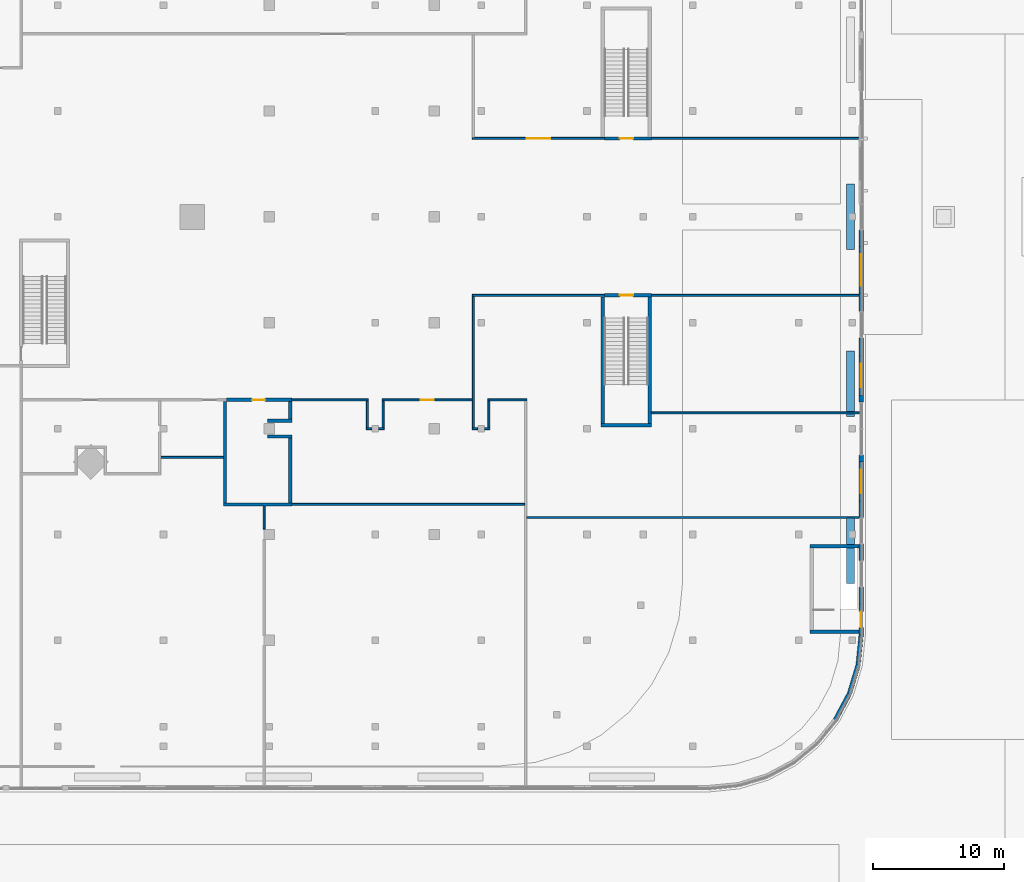
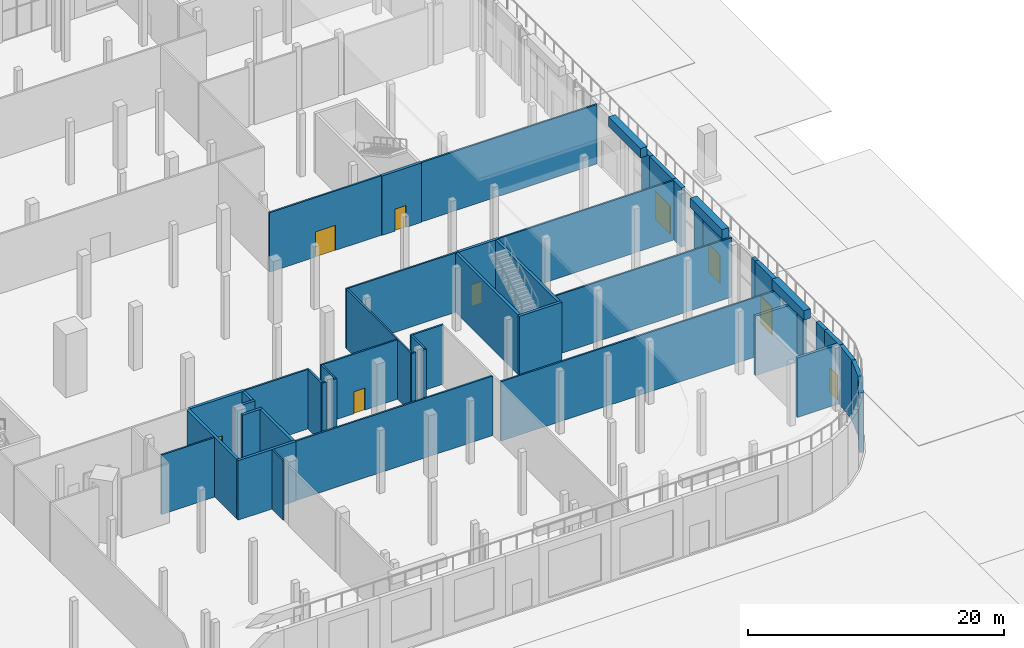
# One storey, part 18 of 32: 52 walls, 9 doors, 9 openings.
"""IFC4 building model written with IfcOpenShell, lengths in metres."""

from ifc_helpers import new_model, si_unit, direction, frame, frame_2d, origin, place, context, subcontext, project, spatial, rectangle, extrude, material, layer, layer_set, type_object, element, fill, save


model = new_model("IFC4")

# Units and contexts
model_context = context("Model", 3, precision=1e-05, world=origin(), true_north=direction((0.0, 1.0)))
body_context = subcontext(model_context, "Body", "Model", "MODEL_VIEW")
ifc_project = project(units=[si_unit("LENGTHUNIT", "METRE"), si_unit("AREAUNIT", "SQUARE_METRE"), si_unit("VOLUMEUNIT", "CUBIC_METRE"), si_unit("PLANEANGLEUNIT", "RADIAN"), si_unit("MASSUNIT", "GRAM", prefix="KILO")], contexts=[model_context])

# Site, building, storey
site_placement = place(None, origin())
site = spatial("IfcSite", under=ifc_project, at=site_placement, CompositionType="ELEMENT")
building_placement = place(site_placement, origin())
building = spatial("IfcBuilding", under=site, at=building_placement, Name="Torre Triforio", CompositionType="ELEMENT")
storey_placement = place(building_placement, origin())
storey = spatial("IfcBuildingStorey", under=building, at=storey_placement, Name="L00", CompositionType="ELEMENT", Elevation=0.0)

# Walls
ifc_material_1 = material(Name="Plasterboard on metal studs")
ifc_layer_1 = layer(ifc_material_1, 0.14990234375)
ifc_layer_set_1 = layer_set([ifc_layer_1], Name="Plasterboard on metal studs")
wall_type_1 = type_object("IfcWallType", Name="Corridor wall 150 EI 60", PredefinedType="PARTITIONING", material=ifc_layer_set_1)
for number, where, z_axis, x_axis, name in (
    (1, (39.824951171875, -16.199951171875, 0.0), (0.0, 0.0, 1.0), (1.0, 0.0, 0.0), "Corridor wall L00 001"),
    (2, (40.760009765625, -16.199951171875, 0.0), (0.0, 0.0, 1.0), (1.0, 0.0, 0.0), "Corridor wall L00 002"),
):
    element("IfcWall", number, at=place(storey_placement, frame(where, z_axis=z_axis, x_axis=x_axis)), inside=storey, type_object=wall_type_1, Name=name, PredefinedType="PARTITIONING", context=body_context, shape_type="SweptSolid", body=[
        extrude(rectangle(XDim=0.4150390625, YDim=0.14990234375, at=frame_2d((0.20751953125, 0.0))), origin(), (0.0, 0.0, 1.0), 5.679931640625),
    ])
wall_1_placement = place(storey_placement, frame((34.125, -14.0, 0.0), z_axis=(0.0, 0.0, 1.0), x_axis=(1.0, 0.0, 0.0)))
element("IfcWall", 3, at=wall_1_placement, inside=storey, type_object=wall_type_1, Name="Corridor wall L00 003", PredefinedType="PARTITIONING", context=body_context, shape_type="SweptSolid", body=[
    extrude(rectangle(XDim=5.85009765625, YDim=0.14990234375, at=frame_2d((2.925048828125, 0.0))), origin(), (0.0, 0.0, 1.0), 5.679931640625),
])

# Wall, opening, door
wall_2_placement = place(storey_placement, frame((41.02490234375, -14.0, 0.0), z_axis=(0.0, 0.0, 1.0), x_axis=(1.0, 0.0, 0.0)))
wall_2 = element("IfcWall", 4, at=wall_2_placement, inside=storey, type_object=wall_type_1, Name="Corridor wall L00 004", PredefinedType="PARTITIONING", context=body_context, shape_type="SweptSolid", body=[
    extrude(rectangle(XDim=6.900146484375, YDim=0.14990234375, at=frame_2d((3.4501953125, 0.0))), origin(), (0.0, 0.0, 1.0), 5.679931640625),
])
opening_1_placement = place(wall_2_placement, frame((2.949951171875, 0.0, 0.0)))
opening_1 = element("IfcOpeningElement", 5, at=opening_1_placement, cuts=wall_2, Name="Opening P0-16", PredefinedType="OPENING", context=body_context, shape_type="SweptSolid", body=[
    extrude(rectangle(XDim=1.0, YDim=2.10009765625, at=frame_2d((0.5, 1.050048828125))), frame((0.0, 0.0849609375, 0.0), z_axis=(0.0, -1.0, 0.0), x_axis=(1.0, 0.0, 0.0)), (0.0, 0.0, 1.0), 0.169921875),
])
ifc_material_2 = material(Name="Timber door leaf", Category="wood")
door_type_1 = type_object("IfcDoorType", Name="Single door 1000 x 2100 EI 30", OperationType="NOTDEFINED", PredefinedType="DOOR", material=ifc_material_2)
door_1_placement = place(opening_1_placement, origin())
door_1 = element("IfcDoor", 6, at=door_1_placement, inside=storey, type_object=door_type_1, Name="Door P0-16", OperationType="SINGLE_SWING_LEFT", OverallHeight=2.10009765625, OverallWidth=1.0, PredefinedType="DOOR", context=body_context, shape_type="SweptSolid", body=[
    extrude(rectangle(XDim=1.0, YDim=2.10009765625, at=frame_2d((0.5, 1.050048828125))), frame((0.0, 0.02490234375, 0.0), z_axis=(0.0, -1.0, 0.0), x_axis=(1.0, 0.0, 0.0)), (0.0, 0.0, 1.0), 0.050048828125),
])
fill(opening_1, door_1)

# Walls
for number, where, z_axis, x_axis, name in (
    (7, (39.89990234375, -16.125, 0.0), (0.0, 0.0, 1.0), (0.0, 1.0, 0.0), "Corridor wall L00 005"),
    (8, (41.10009765625, -16.125, 0.0), (0.0, 0.0, 1.0), (0.0, 1.0, 0.0), "Corridor wall L00 006"),
):
    element("IfcWall", number, at=place(storey_placement, frame(where, z_axis=z_axis, x_axis=x_axis)), inside=storey, type_object=wall_type_1, Name=name, PredefinedType="PARTITIONING", context=body_context, shape_type="SweptSolid", body=[
        extrude(rectangle(XDim=2.050048828125, YDim=0.14990234375, at=frame_2d((1.02490234375, 0.0))), origin(), (0.0, 0.0, 1.0), 5.679931640625),
    ])
wall_3_placement = place(storey_placement, frame((47.925048828125, -16.199951171875, 0.0), z_axis=(0.0, 0.0, 1.0), x_axis=(1.0, 0.0, 0.0)))
element("IfcWall", 9, at=wall_3_placement, inside=storey, type_object=wall_type_1, Name="Corridor wall L00 011", PredefinedType="PARTITIONING", context=body_context, shape_type="SweptSolid", body=[
    extrude(rectangle(XDim=0.4150390625, YDim=0.14990234375, at=frame_2d((0.20751953125, 0.0))), origin(), (0.0, 0.0, 1.0), 5.679931640625),
])
wall_4_placement = place(storey_placement, frame((48.860107421875, -16.199951171875, 0.0), z_axis=(0.0, 0.0, 1.0), x_axis=(1.0, 0.0, 0.0)))
element("IfcWall", 10, at=wall_4_placement, inside=storey, type_object=wall_type_1, Name="Corridor wall L00 012", PredefinedType="PARTITIONING", context=body_context, shape_type="SweptSolid", body=[
    extrude(rectangle(XDim=0.414794921875, YDim=0.14990234375, at=frame_2d((0.20751953125, 0.0))), origin(), (0.0, 0.0, 1.0), 5.679931640625),
])
wall_5_placement = place(storey_placement, frame((49.125, -14.0, 0.0), z_axis=(0.0, 0.0, 1.0), x_axis=(1.0, 0.0, 0.0)))
element("IfcWall", 11, at=wall_5_placement, inside=storey, type_object=wall_type_1, Name="Corridor wall L00 013", PredefinedType="PARTITIONING", context=body_context, shape_type="SweptSolid", body=[
    extrude(rectangle(XDim=2.949951171875, YDim=0.14990234375, at=frame_2d((1.47509765625, 0.0))), origin(), (0.0, 0.0, 1.0), 5.679931640625),
])
wall_6_placement = place(storey_placement, frame((48.0, -16.125, 0.0), z_axis=(0.0, 0.0, 1.0), x_axis=(0.0, 1.0, 0.0)))
element("IfcWall", 12, at=wall_6_placement, inside=storey, type_object=wall_type_1, Name="Corridor wall L00 014", PredefinedType="PARTITIONING", context=body_context, shape_type="SweptSolid", body=[
    extrude(rectangle(XDim=10.050048828125, YDim=0.14990234375, at=frame_2d((5.02490234375, 0.0))), origin(), (0.0, 0.0, 1.0), 5.679931640625),
])
wall_7_placement = place(storey_placement, frame((49.199951171875, -16.125, 0.0), z_axis=(0.0, 0.0, 1.0), x_axis=(0.0, 1.0, 0.0)))
element("IfcWall", 13, at=wall_7_placement, inside=storey, type_object=wall_type_1, Name="Corridor wall L00 015", PredefinedType="PARTITIONING", context=body_context, shape_type="SweptSolid", body=[
    extrude(rectangle(XDim=2.050048828125, YDim=0.14990234375, at=frame_2d((1.02490234375, 0.0))), origin(), (0.0, 0.0, 1.0), 5.679931640625),
])
wall_8_placement = place(storey_placement, frame((34.125, -22.0, 0.0), z_axis=(0.0, 0.0, 1.0), x_axis=(1.0, 0.0, 0.0)))
element("IfcWall", 14, at=wall_8_placement, inside=storey, type_object=wall_type_1, Name="Corridor wall L00 016", PredefinedType="PARTITIONING", context=body_context, shape_type="SweptSolid", body=[
    extrude(rectangle(XDim=17.800048828125, YDim=0.14990234375, at=frame_2d((8.89990234375, 0.0))), origin(), (0.0, 0.0, 1.0), 5.679931640625),
])

# Wall, opening, door
wall_9_placement = place(storey_placement, frame((47.925048828125, 6.0, 0.0), z_axis=(0.0, 0.0, 1.0), x_axis=(1.0, 0.0, 0.0)))
wall_9 = element("IfcWall", 15, at=wall_9_placement, inside=storey, type_object=wall_type_1, Name="Corridor wall L00 035", PredefinedType="PARTITIONING", context=body_context, shape_type="SweptSolid", body=[
    extrude(rectangle(XDim=10.099853515625, YDim=0.14990234375, at=frame_2d((5.0498046875, 0.0))), origin(), (0.0, 0.0, 1.0), 5.679931640625),
])
opening_2_placement = place(wall_9_placement, frame((4.14990234375, 0.0, 0.0)))
opening_2 = element("IfcOpeningElement", 16, at=opening_2_placement, cuts=wall_9, Name="Opening P0-10", PredefinedType="OPENING", context=body_context, shape_type="SweptSolid", body=[
    extrude(rectangle(XDim=1.800048828125, YDim=2.39990234375, at=frame_2d((0.89990234375, 1.199951171875))), frame((0.0, 0.0849609375, 0.0), z_axis=(0.0, -1.0, 0.0), x_axis=(1.0, 0.0, 0.0)), (0.0, 0.0, 1.0), 0.169921875),
])
door_type_2 = type_object("IfcDoorType", Name="Double door 1800 x 2400 EI 60", OperationType="NOTDEFINED", PredefinedType="DOOR", material=ifc_material_2)
door_2_placement = place(opening_2_placement, origin())
door_2 = element("IfcDoor", 17, at=door_2_placement, inside=storey, type_object=door_type_2, Name="Door P0-10", OperationType="SINGLE_SWING_LEFT", OverallHeight=2.39990234375, OverallWidth=1.800048828125, PredefinedType="DOOR", context=body_context, shape_type="SweptSolid", body=[
    extrude(rectangle(XDim=1.800048828125, YDim=2.39990234375, at=frame_2d((0.89990234375, 1.199951171875))), frame((0.0, 0.02490234375, 0.0), z_axis=(0.0, -1.0, 0.0), x_axis=(1.0, 0.0, 0.0)), (0.0, 0.0, 1.0), 0.050048828125),
])
fill(opening_2, door_2)

# Walls
wall_10_placement = place(storey_placement, frame((61.625, 6.0, 0.0), z_axis=(0.0, 0.0, 1.0), x_axis=(1.0, 0.0, 0.0)))
element("IfcWall", 18, at=wall_10_placement, inside=storey, type_object=wall_type_1, Name="Corridor wall L00 036", PredefinedType="PARTITIONING", context=body_context, shape_type="SweptSolid", body=[
    extrude(rectangle(XDim=15.875, YDim=0.14990234375, at=frame_2d((7.9375, 0.0))), origin(), (0.0, 0.0, 1.0), 5.679931640625),
])
wall_11_placement = place(storey_placement, frame((47.925048828125, -6.0, 0.0), z_axis=(0.0, 0.0, 1.0), x_axis=(1.0, 0.0, 0.0)))
element("IfcWall", 19, at=wall_11_placement, inside=storey, type_object=wall_type_1, Name="Corridor wall L00 082", PredefinedType="PARTITIONING", context=body_context, shape_type="SweptSolid", body=[
    extrude(rectangle(XDim=10.099853515625, YDim=0.14990234375, at=frame_2d((5.0498046875, 0.0))), origin(), (0.0, 0.0, 1.0), 5.679931640625),
])
wall_12_placement = place(storey_placement, frame((61.625, -6.0, 0.0), z_axis=(0.0, 0.0, 1.0), x_axis=(1.0, 0.0, 0.0)))
element("IfcWall", 20, at=wall_12_placement, inside=storey, type_object=wall_type_1, Name="Corridor wall L00 083", PredefinedType="PARTITIONING", context=body_context, shape_type="SweptSolid", body=[
    extrude(rectangle(XDim=15.875, YDim=0.14990234375, at=frame_2d((7.9375, 0.0))), origin(), (0.0, 0.0, 1.0), 5.679931640625),
])
wall_13_placement = place(storey_placement, frame((52.074951171875, -23.0, 0.0), z_axis=(0.0, 0.0, 1.0), x_axis=(1.0, 0.0, 0.0)))
element("IfcWall", 21, at=wall_13_placement, inside=storey, type_object=wall_type_1, Name="Corridor wall L00 169", PredefinedType="PARTITIONING", context=body_context, shape_type="SweptSolid", body=[
    extrude(rectangle(XDim=25.425048828125, YDim=0.14990234375, at=frame_2d((12.71240234375, 0.0))), origin(), (0.0, 0.0, 1.0), 5.679931640625),
])
wall_14_placement = place(storey_placement, frame((61.625, -15.0, 0.0), z_axis=(0.0, 0.0, 1.0), x_axis=(1.0, 0.0, 0.0)))
element("IfcWall", 22, at=wall_14_placement, inside=storey, type_object=wall_type_1, Name="Corridor wall L00 171", PredefinedType="PARTITIONING", context=body_context, shape_type="SweptSolid", body=[
    extrude(rectangle(XDim=15.929931640625, YDim=0.14990234375, at=frame_2d((7.96484375, 0.0))), origin(), (0.0, 0.0, 1.0), 5.679931640625),
])
wall_15_placement = place(storey_placement, frame((32.0, -23.889892578125, 0.0), z_axis=(0.0, 0.0, 1.0), x_axis=(0.0, 1.0, 0.0)))
element("IfcWall", 23, at=wall_15_placement, inside=storey, type_object=wall_type_1, Name="Corridor wall L00 175", PredefinedType="PARTITIONING", context=body_context, shape_type="SweptSolid", body=[
    extrude(rectangle(XDim=1.764892578125, YDim=0.14990234375, at=frame_2d((0.88232421875, 0.0))), origin(), (0.0, 0.0, 1.0), 5.679931640625),
])
ifc_material_3 = material(Name="Masonry block", Category="masonry")
ifc_layer_2 = layer(ifc_material_3, 0.25)
ifc_layer_set_2 = layer_set([ifc_layer_2], Name="Masonry block")
wall_type_2 = type_object("IfcWallType", Name="Plant room wall 250 EI 120", PredefinedType="PARTITIONING", material=ifc_layer_set_2)
for number, where, z_axis, x_axis, name in (
    (24, (32.27490234375, -16.800048828125, 0.0), (0.0, 0.0, 1.0), (1.0, 0.0, 0.0), "Plant room wall L00 007"),
    (25, (32.27490234375, -15.60009765625, 0.0), (0.0, 0.0, 1.0), (1.0, 0.0, 0.0), "Plant room wall L00 008"),
):
    element("IfcWall", number, at=place(storey_placement, frame(where, z_axis=z_axis, x_axis=x_axis)), inside=storey, type_object=wall_type_2, Name=name, PredefinedType="PARTITIONING", context=body_context, shape_type="SweptSolid", body=[
        extrude(rectangle(XDim=1.85009765625, YDim=0.25, at=frame_2d((0.925048828125, 0.0))), origin(), (0.0, 0.0, 1.0), 5.679931640625),
    ])
wall_16_placement = place(storey_placement, frame((34.0, -21.875, 0.0), z_axis=(0.0, 0.0, 1.0), x_axis=(0.0, 1.0, 0.0)))
element("IfcWall", 26, at=wall_16_placement, inside=storey, type_object=wall_type_2, Name="Plant room wall L00 009", PredefinedType="PARTITIONING", context=body_context, shape_type="SweptSolid", body=[
    extrude(rectangle(XDim=4.949951171875, YDim=0.25, at=frame_2d((2.47509765625, 0.0))), origin(), (0.0, 0.0, 1.0), 5.679931640625),
])
wall_17_placement = place(storey_placement, frame((34.0, -15.47509765625, 0.0), z_axis=(0.0, 0.0, 1.0), x_axis=(0.0, 1.0, 0.0)))
element("IfcWall", 27, at=wall_17_placement, inside=storey, type_object=wall_type_2, Name="Plant room wall L00 010", PredefinedType="PARTITIONING", context=body_context, shape_type="SweptSolid", body=[
    extrude(rectangle(XDim=1.35009765625, YDim=0.25, at=frame_2d((0.675048828125, 0.0))), origin(), (0.0, 0.0, 1.0), 5.679931640625),
])

# Wall, opening, door
wall_18_placement = place(storey_placement, frame((29.125, -14.0, 0.0), z_axis=(0.0, 0.0, 1.0), x_axis=(1.0, 0.0, 0.0)))
wall_18 = element("IfcWall", 28, at=wall_18_placement, inside=storey, type_object=wall_type_2, Name="Plant room wall L00 110", PredefinedType="PARTITIONING", context=body_context, shape_type="SweptSolid", body=[
    extrude(rectangle(XDim=5.0, YDim=0.25, at=frame_2d((2.5, 0.0))), origin(), (0.0, 0.0, 1.0), 5.679931640625),
])
opening_3_placement = place(wall_18_placement, frame((1.949951171875, 0.0, 0.0)))
opening_3 = element("IfcOpeningElement", 29, at=opening_3_placement, cuts=wall_18, Name="Opening P0-15", PredefinedType="OPENING", context=body_context, shape_type="SweptSolid", body=[
    extrude(rectangle(XDim=1.0, YDim=2.10009765625, at=frame_2d((0.5, 1.050048828125))), frame((0.0, 0.135009765625, 0.0), z_axis=(0.0, -1.0, 0.0), x_axis=(1.0, 0.0, 0.0)), (0.0, 0.0, 1.0), 0.27001953125),
])
ifc_material_4 = material(Name="Hollow metal fire door leaf")
door_type_3 = type_object("IfcDoorType", Name="Fire door 1000 x 2100 EI 60", OperationType="NOTDEFINED", PredefinedType="DOOR", material=ifc_material_4)
door_3_placement = place(opening_3_placement, origin())
door_3 = element("IfcDoor", 30, at=door_3_placement, inside=storey, type_object=door_type_3, Name="Door P0-15", OperationType="SINGLE_SWING_LEFT", OverallHeight=2.10009765625, OverallWidth=1.0, PredefinedType="DOOR", context=body_context, shape_type="SweptSolid", body=[
    extrude(rectangle(XDim=1.0, YDim=2.10009765625, at=frame_2d((0.5, 1.050048828125))), frame((0.0, 0.02490234375, 0.0), z_axis=(0.0, -1.0, 0.0), x_axis=(1.0, 0.0, 0.0)), (0.0, 0.0, 1.0), 0.050048828125),
])
fill(opening_3, door_3)

# Walls
wall_19_placement = place(storey_placement, frame((28.875, -22.0, 0.0), z_axis=(0.0, 0.0, 1.0), x_axis=(1.0, 0.0, 0.0)))
element("IfcWall", 31, at=wall_19_placement, inside=storey, type_object=wall_type_2, Name="Plant room wall L00 159", PredefinedType="PARTITIONING", context=body_context, shape_type="SweptSolid", body=[
    extrude(rectangle(XDim=5.25, YDim=0.25, at=frame_2d((2.625, 0.0))), origin(), (0.0, 0.0, 1.0), 5.679931640625),
])
wall_20_placement = place(storey_placement, frame((29.0, -21.875, 0.0), z_axis=(0.0, 0.0, 1.0), x_axis=(0.0, 1.0, 0.0)))
element("IfcWall", 32, at=wall_20_placement, inside=storey, type_object=wall_type_2, Name="Plant room wall L00 160", PredefinedType="PARTITIONING", context=body_context, shape_type="SweptSolid", body=[
    extrude(rectangle(XDim=7.75, YDim=0.25, at=frame_2d((3.875, 0.0))), origin(), (0.0, 0.0, 1.0), 5.679931640625),
])
ifc_material_5 = material(Name="Concrete C40", Category="concrete")
ifc_layer_3 = layer(ifc_material_5, 0.25)
ifc_layer_set_3 = layer_set([ifc_layer_3], Name="Concrete C40")
wall_type_3 = type_object("IfcWallType", Name="Stair enclosure wall 250 EI 120", PredefinedType="STANDARD", material=ifc_layer_set_3)
for number, where, z_axis, x_axis, name in (
    (33, (73.77490234375, -31.75, 0.0), (0.0, 0.0, 1.0), (1.0, 0.0, 0.0), "Stair enclosure wall L00 023"),
    (34, (73.77490234375, -25.18994140625, 0.0), (0.0, 0.0, 1.0), (1.0, 0.0, 0.0), "Stair enclosure wall L00 024"),
):
    element("IfcWall", number, at=place(storey_placement, frame(where, z_axis=z_axis, x_axis=x_axis)), inside=storey, type_object=wall_type_3, Name=name, PredefinedType="STANDARD", context=body_context, shape_type="SweptSolid", body=[
        extrude(rectangle(XDim=3.72509765625, YDim=0.25, at=frame_2d((1.862548828125, 0.0))), origin(), (0.0, 0.0, 1.0), 5.679931640625),
    ])

# Wall, opening, door
wall_21_placement = place(storey_placement, frame((58.02490234375, 6.0, 0.0), z_axis=(0.0, 0.0, 1.0), x_axis=(1.0, 0.0, 0.0)))
wall_21 = element("IfcWall", 35, at=wall_21_placement, inside=storey, type_object=wall_type_3, Name="Stair enclosure wall L00 080", PredefinedType="STANDARD", context=body_context, shape_type="SweptSolid", body=[
    extrude(rectangle(XDim=3.60009765625, YDim=0.25, at=frame_2d((1.800048828125, 0.0))), origin(), (0.0, 0.0, 1.0), 5.679931640625),
])
opening_4_placement = place(wall_21_placement, frame((1.199951171875, 0.0, 0.0)))
opening_4 = element("IfcOpeningElement", 36, at=opening_4_placement, cuts=wall_21, Name="Opening P0-05", PredefinedType="OPENING", context=body_context, shape_type="SweptSolid", body=[
    extrude(rectangle(XDim=1.0, YDim=2.10009765625, at=frame_2d((0.5, 1.050048828125))), frame((0.0, 0.135009765625, 0.0), z_axis=(0.0, -1.0, 0.0), x_axis=(1.0, 0.0, 0.0)), (0.0, 0.0, 1.0), 0.27001953125),
])
door_type_4 = type_object("IfcDoorType", Name="Stair door 1000 x 2100 EI 90", OperationType="NOTDEFINED", PredefinedType="DOOR", material=ifc_material_4)
door_4_placement = place(opening_4_placement, origin())
door_4 = element("IfcDoor", 37, at=door_4_placement, inside=storey, type_object=door_type_4, Name="Door P0-05", OperationType="SINGLE_SWING_LEFT", OverallHeight=2.10009765625, OverallWidth=1.0, PredefinedType="DOOR", context=body_context, shape_type="SweptSolid", body=[
    extrude(rectangle(XDim=1.0, YDim=2.10009765625, at=frame_2d((0.5, 1.050048828125))), frame((0.0, 0.02490234375, 0.0), z_axis=(0.0, -1.0, 0.0), x_axis=(1.0, 0.0, 0.0)), (0.0, 0.0, 1.0), 0.050048828125),
])
fill(opening_4, door_4)

wall_22_placement = place(storey_placement, frame((58.02490234375, -6.0, 0.0), z_axis=(0.0, 0.0, 1.0), x_axis=(1.0, 0.0, 0.0)))
wall_22 = element("IfcWall", 38, at=wall_22_placement, inside=storey, type_object=wall_type_3, Name="Stair enclosure wall L00 081", PredefinedType="STANDARD", context=body_context, shape_type="SweptSolid", body=[
    extrude(rectangle(XDim=3.60009765625, YDim=0.25, at=frame_2d((1.800048828125, 0.0))), origin(), (0.0, 0.0, 1.0), 5.679931640625),
])
opening_5_placement = place(wall_22_placement, frame((1.199951171875, 0.0, 0.0)))
opening_5 = element("IfcOpeningElement", 39, at=opening_5_placement, cuts=wall_22, Name="Opening P0-06", PredefinedType="OPENING", context=body_context, shape_type="SweptSolid", body=[
    extrude(rectangle(XDim=1.0, YDim=2.10009765625, at=frame_2d((0.5, 1.050048828125))), frame((0.0, 0.135009765625, 0.0), z_axis=(0.0, -1.0, 0.0), x_axis=(1.0, 0.0, 0.0)), (0.0, 0.0, 1.0), 0.27001953125),
])
door_5_placement = place(opening_5_placement, origin())
door_5 = element("IfcDoor", 40, at=door_5_placement, inside=storey, type_object=door_type_4, Name="Door P0-06", OperationType="SINGLE_SWING_LEFT", OverallHeight=2.10009765625, OverallWidth=1.0, PredefinedType="DOOR", context=body_context, shape_type="SweptSolid", body=[
    extrude(rectangle(XDim=1.0, YDim=2.10009765625, at=frame_2d((0.5, 1.050048828125))), frame((0.0, 0.02490234375, 0.0), z_axis=(0.0, -1.0, 0.0), x_axis=(1.0, 0.0, 0.0)), (0.0, 0.0, 1.0), 0.050048828125),
])
fill(opening_5, door_5)

# Walls
wall_23_placement = place(storey_placement, frame((57.77490234375, -15.949951171875, 0.0), z_axis=(0.0, 0.0, 1.0), x_axis=(1.0, 0.0, 0.0)))
element("IfcWall", 41, at=wall_23_placement, inside=storey, type_object=wall_type_3, Name="Stair enclosure wall L00 143", PredefinedType="STANDARD", context=body_context, shape_type="SweptSolid", body=[
    extrude(rectangle(XDim=3.85009765625, YDim=0.25, at=frame_2d((1.925048828125, 0.0))), origin(), (0.0, 0.0, 1.0), 5.679931640625),
])
for number, where, z_axis, x_axis, name in (
    (42, (57.89990234375, -15.824951171875, 0.0), (0.0, 0.0, 1.0), (0.0, 1.0, 0.0), "Stair enclosure wall L00 144"),
    (43, (61.5, -15.824951171875, 0.0), (0.0, 0.0, 1.0), (0.0, 1.0, 0.0), "Stair enclosure wall L00 145"),
):
    element("IfcWall", number, at=place(storey_placement, frame(where, z_axis=z_axis, x_axis=x_axis)), inside=storey, type_object=wall_type_3, Name=name, PredefinedType="STANDARD", context=body_context, shape_type="SweptSolid", body=[
        extrude(rectangle(XDim=9.699951171875, YDim=0.25, at=frame_2d((4.85009765625, 0.0))), origin(), (0.0, 0.0, 1.0), 5.679931640625),
    ])
ifc_material_6 = material(Name="Limestone cladding", Category="masonry")
ifc_layer_4 = layer(ifc_material_6, 0.10009765625)
ifc_layer_5 = layer(ifc_material_5, 0.25)
ifc_layer_set_4 = layer_set([ifc_layer_4, ifc_layer_5], Name="Limestone cladding / Concrete C40")
wall_type_4 = type_object("IfcWallType", Name="Stone-clad podium wall 350", PredefinedType="STANDARD", material=ifc_layer_set_4)
wall_24_placement = place(storey_placement, frame((75.7060546875, -38.4853515625, 0.0), z_axis=(0.0, 0.0, 1.0), x_axis=(0.47145739061, 0.881888841544, 0.0)))
element("IfcWall", 44, at=wall_24_placement, inside=storey, type_object=wall_type_4, Name="External wall L00 e05.0.w0", PredefinedType="STANDARD", context=body_context, shape_type="SweptSolid", body=[
    extrude(rectangle(XDim=2.288330078125, YDim=0.35009765625, at=frame_2d((1.14404296875, 0.0))), origin(), (0.0, 0.0, 1.0), 5.679931640625),
])
wall_25_placement = place(storey_placement, frame((76.784912109375, -36.46728515625, 0.0), z_axis=(0.0, 0.0, 1.0), x_axis=(0.29028274763, 0.956940921075, 0.0)))
element("IfcWall", 45, at=wall_25_placement, inside=storey, type_object=wall_type_4, Name="External wall L00 e06.0.w0", PredefinedType="STANDARD", context=body_context, shape_type="SweptSolid", body=[
    extrude(rectangle(XDim=2.28857421875, YDim=0.35009765625, at=frame_2d((1.144287109375, 0.0))), origin(), (0.0, 0.0, 1.0), 5.679931640625),
])
wall_26_placement = place(storey_placement, frame((77.44921875, -34.27734375, 0.0), z_axis=(0.0, 0.0, 1.0), x_axis=(0.097993192849, 0.995187085002, 0.0)))
element("IfcWall", 46, at=wall_26_placement, inside=storey, type_object=wall_type_4, Name="External wall L00 e07.0.w0", PredefinedType="STANDARD", context=body_context, shape_type="SweptSolid", body=[
    extrude(rectangle(XDim=2.304443359375, YDim=0.35009765625, at=frame_2d((1.15234375, 0.0))), origin(), (0.0, 0.0, 1.0), 5.679931640625),
])

# Wall, opening, door
wall_27_placement = place(storey_placement, frame((77.675048828125, -31.98388671875, 0.0), z_axis=(0.0, 0.0, 1.0), x_axis=(0.0, 1.0, 0.0)))
wall_27 = element("IfcWall", 47, at=wall_27_placement, inside=storey, type_object=wall_type_4, Name="External wall L00 e08.0", PredefinedType="STANDARD", context=body_context, shape_type="SweptSolid", body=[
    extrude(rectangle(XDim=2.3837890625, YDim=0.35009765625, at=frame_2d((1.19189453125, 0.0))), origin(), (0.0, 0.0, 1.0), 5.679931640625),
])
opening_6_placement = place(wall_27_placement, frame((0.583984375, 0.0, 0.0)))
opening_6 = element("IfcOpeningElement", 48, at=opening_6_placement, cuts=wall_27, Name="Opening P0-52", PredefinedType="OPENING", context=body_context, shape_type="SweptSolid", body=[
    extrude(rectangle(XDim=1.199951171875, YDim=2.39990234375, at=frame_2d((0.60009765625, 1.199951171875))), frame((0.0, 0.18505859375, 0.0), z_axis=(0.0, -1.0, 0.0), x_axis=(1.0, 0.0, 0.0)), (0.0, 0.0, 1.0), 0.3701171875),
])
ifc_material_7 = material(Name="Galvanised hollow metal door leaf")
door_type_5 = type_object("IfcDoorType", Name="Exit discharge door 1200 x 2400", OperationType="NOTDEFINED", PredefinedType="DOOR", material=ifc_material_7)
door_6_placement = place(opening_6_placement, frame((1.199951171875, 0.0, 0.0), z_axis=(0.0, 0.0, 1.0), x_axis=(-1.0, 0.0, 0.0)))
door_6 = element("IfcDoor", 49, at=door_6_placement, inside=storey, type_object=door_type_5, Name="Door P0-52", OperationType="SINGLE_SWING_RIGHT", OverallHeight=2.39990234375, OverallWidth=1.199951171875, PredefinedType="DOOR", context=body_context, shape_type="SweptSolid", body=[
    extrude(rectangle(XDim=1.199951171875, YDim=2.39990234375, at=frame_2d((0.60009765625, 1.199951171875))), frame((0.0, 0.02490234375, 0.0), z_axis=(0.0, -1.0, 0.0), x_axis=(1.0, 0.0, 0.0)), (0.0, 0.0, 1.0), 0.050048828125),
])
fill(opening_6, door_6)

# Walls
wall_28_placement = place(storey_placement, frame((77.675048828125, -29.60009765625, 0.0), z_axis=(0.0, 0.0, 1.0), x_axis=(0.0, 1.0, 0.0)))
element("IfcWall", 50, at=wall_28_placement, inside=storey, type_object=wall_type_4, Name="External wall L00 e08.1.g0", PredefinedType="STANDARD", context=body_context, shape_type="SweptSolid", body=[
    extrude(rectangle(XDim=1.266845703125, YDim=0.35009765625, at=frame_2d((0.63330078125, 0.0))), origin(), (0.0, 0.0, 1.0), 5.679931640625),
])
for number, where, z_axis, x_axis, name in (
    (51, (77.675048828125, -26.308349609375, 0.0), (0.0, 0.0, 1.0), (0.0, 1.0, 0.0), "External wall L00 e08.1.g1"),
    (52, (77.675048828125, -23.0166015625, 0.0), (0.0, 0.0, 1.0), (0.0, 1.0, 0.0), "External wall L00 e08.1.g2"),
):
    element("IfcWall", number, at=place(storey_placement, frame(where, z_axis=z_axis, x_axis=x_axis)), inside=storey, type_object=wall_type_4, Name=name, PredefinedType="STANDARD", context=body_context, shape_type="SweptSolid", body=[
        extrude(rectangle(XDim=1.2666015625, YDim=0.35009765625, at=frame_2d((0.63330078125, 0.0))), origin(), (0.0, 0.0, 1.0), 5.679931640625),
    ])

# Wall, opening, door
wall_29_placement = place(storey_placement, frame((77.675048828125, -21.75, 0.0), z_axis=(0.0, 0.0, 1.0), x_axis=(0.0, 1.0, 0.0)))
wall_29 = element("IfcWall", 53, at=wall_29_placement, inside=storey, type_object=wall_type_4, Name="External wall L00 e08.2", PredefinedType="STANDARD", context=body_context, shape_type="SweptSolid", body=[
    extrude(rectangle(XDim=3.0, YDim=0.35009765625, at=frame_2d((1.5, 0.0))), origin(), (0.0, 0.0, 1.0), 5.679931640625),
])
opening_7_placement = place(wall_29_placement, frame((0.60009765625, 0.0, 0.0)))
opening_7 = element("IfcOpeningElement", 54, at=opening_7_placement, cuts=wall_29, Name="Opening P0-38", PredefinedType="OPENING", context=body_context, shape_type="SweptSolid", body=[
    extrude(rectangle(XDim=1.800048828125, YDim=2.699951171875, at=frame_2d((0.89990234375, 1.35009765625))), frame((0.0, 0.18505859375, 0.0), z_axis=(0.0, -1.0, 0.0), x_axis=(1.0, 0.0, 0.0)), (0.0, 0.0, 1.0), 0.3701171875),
])
ifc_material_8 = material(Name="Glazed aluminium door", Category="aluminium")
door_type_6 = type_object("IfcDoorType", Name="Shopfront double door 1800 x 2700", OperationType="NOTDEFINED", PredefinedType="DOOR", material=ifc_material_8)
door_7_placement = place(opening_7_placement, frame((1.800048828125, 0.0, 0.0), z_axis=(0.0, 0.0, 1.0), x_axis=(-1.0, 0.0, 0.0)))
door_7 = element("IfcDoor", 55, at=door_7_placement, inside=storey, type_object=door_type_6, Name="Door P0-38", OperationType="SINGLE_SWING_RIGHT", OverallHeight=2.699951171875, OverallWidth=1.800048828125, PredefinedType="DOOR", context=body_context, shape_type="SweptSolid", body=[
    extrude(rectangle(XDim=1.800048828125, YDim=2.699951171875, at=frame_2d((0.89990234375, 1.35009765625))), frame((0.0, 0.02490234375, 0.0), z_axis=(0.0, -1.0, 0.0), x_axis=(1.0, 0.0, 0.0)), (0.0, 0.0, 1.0), 0.050048828125),
])
fill(opening_7, door_7)

# Walls
wall_30_placement = place(storey_placement, frame((77.675048828125, -18.75, 0.0), z_axis=(0.0, 0.0, 1.0), x_axis=(0.0, 1.0, 0.0)))
element("IfcWall", 56, at=wall_30_placement, inside=storey, type_object=wall_type_4, Name="External wall L00 e08.3.g0", PredefinedType="STANDARD", context=body_context, shape_type="SweptSolid", body=[
    extrude(rectangle(XDim=0.52490234375, YDim=0.35009765625, at=frame_2d((0.262451171875, 0.0))), origin(), (0.0, 0.0, 1.0), 5.679931640625),
])
wall_31_placement = place(storey_placement, frame((77.675048828125, -14.175048828125, 0.0), z_axis=(0.0, 0.0, 1.0), x_axis=(0.0, 1.0, 0.0)))
element("IfcWall", 57, at=wall_31_placement, inside=storey, type_object=wall_type_4, Name="External wall L00 e08.3.g1", PredefinedType="STANDARD", context=body_context, shape_type="SweptSolid", body=[
    extrude(rectangle(XDim=0.525146484375, YDim=0.35009765625, at=frame_2d((0.2626953125, 0.0))), origin(), (0.0, 0.0, 1.0), 5.679931640625),
])

# Wall, opening, door
wall_32_placement = place(storey_placement, frame((77.675048828125, -13.64990234375, 0.0), z_axis=(0.0, 0.0, 1.0), x_axis=(0.0, 1.0, 0.0)))
wall_32 = element("IfcWall", 58, at=wall_32_placement, inside=storey, type_object=wall_type_4, Name="External wall L00 e08.4", PredefinedType="STANDARD", context=body_context, shape_type="SweptSolid", body=[
    extrude(rectangle(XDim=3.0, YDim=0.35009765625, at=frame_2d((1.5, 0.0))), origin(), (0.0, 0.0, 1.0), 5.679931640625),
])
opening_8_placement = place(wall_32_placement, frame((0.60009765625, 0.0, 0.0)))
opening_8 = element("IfcOpeningElement", 59, at=opening_8_placement, cuts=wall_32, Name="Opening P0-37", PredefinedType="OPENING", context=body_context, shape_type="SweptSolid", body=[
    extrude(rectangle(XDim=1.800048828125, YDim=2.699951171875, at=frame_2d((0.89990234375, 1.35009765625))), frame((0.0, 0.18505859375, 0.0), z_axis=(0.0, -1.0, 0.0), x_axis=(1.0, 0.0, 0.0)), (0.0, 0.0, 1.0), 0.3701171875),
])
door_8_placement = place(opening_8_placement, frame((1.800048828125, 0.0, 0.0), z_axis=(0.0, 0.0, 1.0), x_axis=(-1.0, 0.0, 0.0)))
door_8 = element("IfcDoor", 60, at=door_8_placement, inside=storey, type_object=door_type_6, Name="Door P0-37", OperationType="SINGLE_SWING_RIGHT", OverallHeight=2.699951171875, OverallWidth=1.800048828125, PredefinedType="DOOR", context=body_context, shape_type="SweptSolid", body=[
    extrude(rectangle(XDim=1.800048828125, YDim=2.699951171875, at=frame_2d((0.89990234375, 1.35009765625))), frame((0.0, 0.02490234375, 0.0), z_axis=(0.0, -1.0, 0.0), x_axis=(1.0, 0.0, 0.0)), (0.0, 0.0, 1.0), 0.050048828125),
])
fill(opening_8, door_8)

# Walls
for number, where, z_axis, x_axis, name in (
    (61, (77.675048828125, -10.64990234375, 0.0), (0.0, 0.0, 1.0), (0.0, 1.0, 0.0), "External wall L00 e08.5.g0"),
    (62, (77.675048828125, -7.237548828125, 0.0), (0.0, 0.0, 1.0), (0.0, 1.0, 0.0), "External wall L00 e08.5.g1"),
):
    element("IfcWall", number, at=place(storey_placement, frame(where, z_axis=z_axis, x_axis=x_axis)), inside=storey, type_object=wall_type_4, Name=name, PredefinedType="STANDARD", context=body_context, shape_type="SweptSolid", body=[
        extrude(rectangle(XDim=1.387451171875, YDim=0.35009765625, at=frame_2d((0.69384765625, 0.0))), origin(), (0.0, 0.0, 1.0), 5.679931640625),
    ])

# Wall, opening, door
wall_33_placement = place(storey_placement, frame((77.675048828125, -5.85009765625, 0.0), z_axis=(0.0, 0.0, 1.0), x_axis=(0.0, 1.0, 0.0)))
wall_33 = element("IfcWall", 63, at=wall_33_placement, inside=storey, type_object=wall_type_4, Name="External wall L00 e08.6", PredefinedType="STANDARD", context=body_context, shape_type="SweptSolid", body=[
    extrude(rectangle(XDim=3.60009765625, YDim=0.35009765625, at=frame_2d((1.800048828125, 0.0))), origin(), (0.0, 0.0, 1.0), 5.679931640625),
])
opening_9_placement = place(wall_33_placement, frame((0.60009765625, 0.0, 0.0)))
opening_9 = element("IfcOpeningElement", 64, at=opening_9_placement, cuts=wall_33, Name="Opening P0-33", PredefinedType="OPENING", context=body_context, shape_type="SweptSolid", body=[
    extrude(rectangle(XDim=2.39990234375, YDim=2.699951171875, at=frame_2d((1.199951171875, 1.35009765625))), frame((0.0, 0.18505859375, 0.0), z_axis=(0.0, -1.0, 0.0), x_axis=(1.0, 0.0, 0.0)), (0.0, 0.0, 1.0), 0.3701171875),
])
door_type_7 = type_object("IfcDoorType", Name="Entrance double door 2400 x 2700", OperationType="NOTDEFINED", PredefinedType="DOOR", material=ifc_material_8)
door_9_placement = place(opening_9_placement, frame((2.39990234375, 0.0, 0.0), z_axis=(0.0, 0.0, 1.0), x_axis=(-1.0, 0.0, 0.0)))
door_9 = element("IfcDoor", 65, at=door_9_placement, inside=storey, type_object=door_type_7, Name="Door P0-33", OperationType="SINGLE_SWING_RIGHT", OverallHeight=2.699951171875, OverallWidth=2.39990234375, PredefinedType="DOOR", context=body_context, shape_type="SweptSolid", body=[
    extrude(rectangle(XDim=2.39990234375, YDim=2.699951171875, at=frame_2d((1.199951171875, 1.35009765625))), frame((0.0, 0.02490234375, 0.0), z_axis=(0.0, -1.0, 0.0), x_axis=(1.0, 0.0, 0.0)), (0.0, 0.0, 1.0), 0.050048828125),
])
fill(opening_9, door_9)

# Walls
wall_34_placement = place(storey_placement, frame((77.675048828125, -2.25, 0.0), z_axis=(0.0, 0.0, 1.0), x_axis=(0.0, 1.0, 0.0)))
element("IfcWall", 66, at=wall_34_placement, inside=storey, type_object=wall_type_4, Name="External wall L00 e08.7.g0", PredefinedType="STANDARD", context=body_context, shape_type="SweptSolid", body=[
    extrude(rectangle(XDim=1.237548828125, YDim=0.35009765625, at=frame_2d((0.61865234375, 0.0))), origin(), (0.0, 0.0, 1.0), 5.679931640625),
])
ifc_layer_6 = layer(ifc_material_6, 0.10009765625)
ifc_layer_7 = layer(ifc_material_5, 0.5)
ifc_layer_set_5 = layer_set([ifc_layer_6, ifc_layer_7], Name="Limestone cladding / Concrete C40")
wall_type_5 = type_object("IfcWallType", Name="Terrace planter wall 600", PredefinedType="PARAPET", material=ifc_layer_set_5)
for number, where, z_axis, x_axis, name in (
    (67, (76.85009765625, -28.0546875, 6.0), (0.0, 0.0, 1.0), (0.0, 1.0, 0.0), "Terrace T1 planter 09.1"),
    (68, (76.85009765625, -15.27734375, 6.0), (0.0, 0.0, 1.0), (0.0, 1.0, 0.0), "Terrace T1 planter 09.2"),
    (69, (76.85009765625, -2.5, 6.0), (0.0, 0.0, 1.0), (0.0, 1.0, 0.0), "Terrace T1 planter 09.3"),
):
    element("IfcWall", number, at=place(storey_placement, frame(where, z_axis=z_axis, x_axis=x_axis)), inside=storey, type_object=wall_type_5, Name=name, PredefinedType="PARAPET", context=body_context, shape_type="SweptSolid", body=[
        extrude(rectangle(XDim=5.0, YDim=0.60009765625, at=frame_2d((2.5, 0.0))), origin(), (0.0, 0.0, 1.0), 0.89990234375),
    ])
ifc_layer_8 = layer(ifc_material_1, 0.14990234375)
ifc_layer_set_6 = layer_set([ifc_layer_8], Name="Plasterboard on metal studs")
wall_type_6 = type_object("IfcWallType", Name="Wet room wall 150", PredefinedType="PARTITIONING", material=ifc_layer_set_6)
wall_35_placement = place(storey_placement, frame((24.074951171875, -18.39990234375, 0.0), z_axis=(0.0, 0.0, 1.0), x_axis=(1.0, 0.0, 0.0)))
element("IfcWall", 70, at=wall_35_placement, inside=storey, type_object=wall_type_6, Name="Wet room wall L00 158", PredefinedType="PARTITIONING", context=body_context, shape_type="SweptSolid", body=[
    extrude(rectangle(XDim=4.800048828125, YDim=0.14990234375, at=frame_2d((2.39990234375, 0.0))), origin(), (0.0, 0.0, 1.0), 5.679931640625),
])

save(model, "model.ifc")
